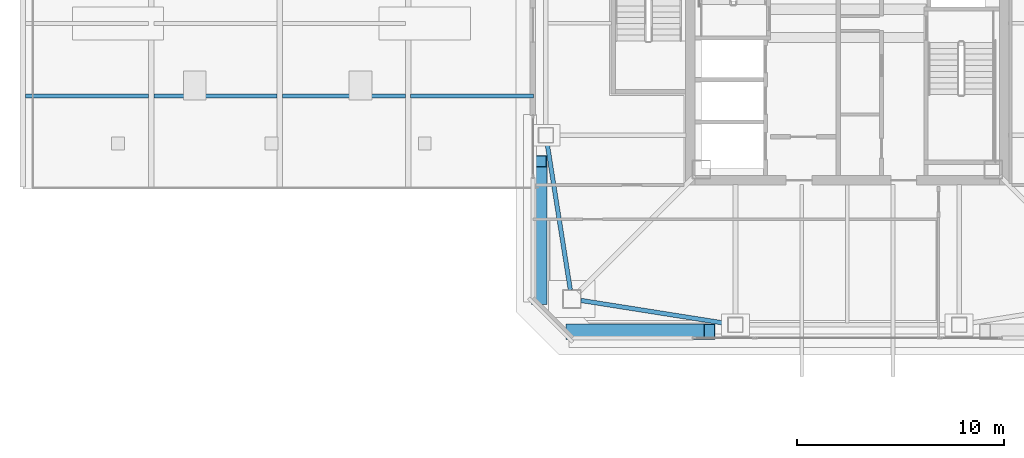
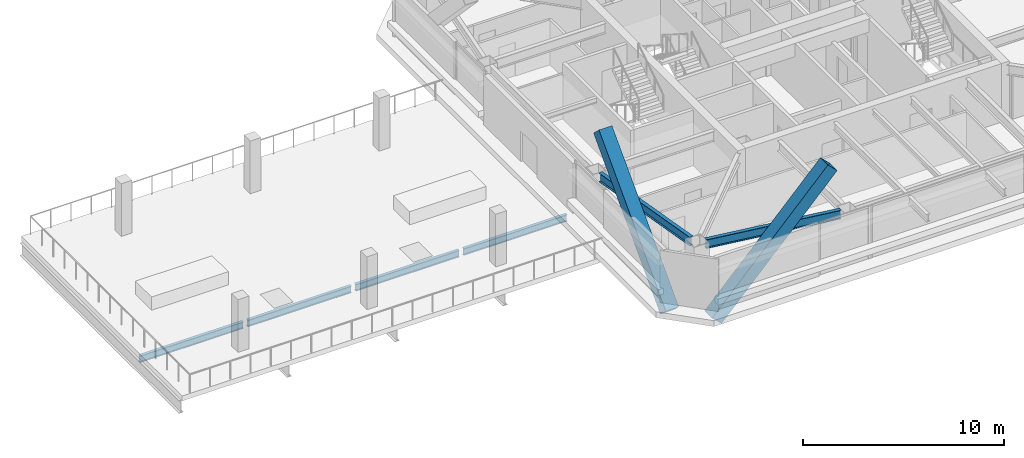
# One storey, part 3 of 37: 6 beams, 2 members.
"""IFC4 building model written with IfcOpenShell, lengths in metres."""

import ifcopenshell
import ifcopenshell.guid

model = None  # the IFC model being written
_history = None  # IfcOwnerHistory: only IFC2X3 demands one
_inside = {}  # id of a spatial element -> (the spatial element, [elements in it])
_under = {}  # id of a project, library or spatial element -> (it, [spatial elements below it])
_declared = {}  # id of a project -> (the project, [libraries it declares])
_typed = {}  # id of a type object -> (the type object, [elements of that type])
_made_of = {}  # id of a material, layer set ... -> (it, [elements and type objects made of it])


def new_model(schema):
    """Start an empty IFC model of exactly this schema.

    Asked for "IFC4X3", IfcOpenShell would pick the latest addendum, in which some entities
    have other attributes; the version numbers below select the first issue.
    IFC2X3 requires an IfcOwnerHistory on every rooted entity: one is made here for all.
    """
    global model, _history
    if schema == "IFC4X3":
        model = ifcopenshell.file(schema_version=(4, 3, 0, 0))
    else:
        model = ifcopenshell.file(schema=schema)
    _inside.clear()
    _under.clear()
    _declared.clear()
    _typed.clear()
    _made_of.clear()
    _history = None
    if model.schema == "IFC2X3":
        org = make("IfcOrganization", Name="unknown")
        user = make(
            "IfcPersonAndOrganization",
            ThePerson=make("IfcPerson", FamilyName="unknown"),
            TheOrganization=org,
        )
        app = make(
            "IfcApplication",
            ApplicationDeveloper=org,
            Version="unknown",
            ApplicationFullName="unknown",
            ApplicationIdentifier="unknown",
        )
        _history = make(
            "IfcOwnerHistory",
            OwningUser=user,
            OwningApplication=app,
            ChangeAction="ADDED",
            CreationDate=0,
        )
    return model


def make(cls, **values):
    """One entity of the class cls with the attributes given. An attribute that is None is left unset."""
    return model.create_entity(
        cls, **{name: value for name, value in values.items() if value is not None}
    )


def rooted(cls, **values):
    """An entity with a GlobalId (a new one), such as an element, a storey or a relation."""
    return make(cls, GlobalId=ifcopenshell.guid.new(), OwnerHistory=_history, **values)


def si_unit(unit_type, name, prefix=None):
    """IfcSIUnit, for example si_unit("LENGTHUNIT", "METRE", prefix="MILLI")."""
    return make("IfcSIUnit", UnitType=unit_type, Prefix=prefix, Name=name)


def assignment(units):
    """IfcUnitAssignment: the units of a project."""
    return None if units is None else make("IfcUnitAssignment", Units=units)


def point(xyz):
    """IfcCartesianPoint."""
    return None if xyz is None else make("IfcCartesianPoint", Coordinates=xyz)


def direction(xyz):
    """IfcDirection."""
    return None if xyz is None else make("IfcDirection", DirectionRatios=xyz)


def frame(location, z_axis=None, x_axis=None):
    """IfcAxis2Placement3D, a coordinate frame: its origin and axes. An axis left out is left unset."""
    return make(
        "IfcAxis2Placement3D",
        Location=point(location),
        Axis=direction(z_axis),
        RefDirection=direction(x_axis),
    )


def frame_2d(location, x_axis=None):
    """IfcAxis2Placement2D, a coordinate frame in the plane: its origin and x axis."""
    return make(
        "IfcAxis2Placement2D", Location=point(location), RefDirection=direction(x_axis)
    )


def origin():
    """The frame at (0, 0, 0) with its axes left unset."""
    return frame((0.0, 0.0, 0.0))


def origin_2d():
    """The frame at (0, 0) in the plane with its x axis left unset."""
    return frame_2d((0.0, 0.0))


def place(relative_to, where):
    """IfcLocalPlacement: puts the frame where relative to a parent placement (None: the world)."""
    return make(
        "IfcLocalPlacement", PlacementRelTo=relative_to, RelativePlacement=where
    )


def context(
    kind, dimensions, precision=None, world=None, true_north=None, identifier=None
):
    """IfcGeometricRepresentationContext, for example the 3D "Model" context."""
    return make(
        "IfcGeometricRepresentationContext",
        ContextIdentifier=identifier,
        ContextType=kind,
        CoordinateSpaceDimension=dimensions,
        Precision=precision,
        WorldCoordinateSystem=world,
        TrueNorth=true_north,
    )


def subcontext(parent, identifier, kind, view, scale=None):
    """IfcGeometricRepresentationSubContext, for example "Body" below "Model"."""
    return make(
        "IfcGeometricRepresentationSubContext",
        ContextIdentifier=identifier,
        ContextType=kind,
        ParentContext=parent,
        TargetScale=scale,
        TargetView=view,
    )


def project(units=None, contexts=None):
    """IfcProject with its units and contexts."""
    return rooted(
        "IfcProject",
        Name="project",
        RepresentationContexts=contexts,
        UnitsInContext=assignment(units),
    )


def spatial(cls, under=None, at=None, **own):
    """A site, building, storey or space (cls), placed at a placement, below another one or the project."""
    s = rooted(cls, ObjectPlacement=at, **own)
    if under is not None:
        _under.setdefault(under.id(), (under, []))[1].append(s)
    return s


def profile(cls, at=None, kind="AREA", **sizes):
    """A parametric profile (cls). Its sizes go by their IFC names, for example OverallWidth=200.0."""
    return make(cls, ProfileType=kind, Position=at, **sizes)


def hollow_rectangle(**sizes):
    """IfcRectangleHollowProfileDef."""
    return profile("IfcRectangleHollowProfileDef", **sizes)


def i_section(**sizes):
    """IfcIShapeProfileDef."""
    return profile("IfcIShapeProfileDef", **sizes)


def extrude(swept, where, along, depth):
    """IfcExtrudedAreaSolid: the profile swept, set in the frame where, extruded along a direction by depth."""
    return make(
        "IfcExtrudedAreaSolid",
        SweptArea=swept,
        Position=where,
        ExtrudedDirection=direction(along),
        Depth=depth,
    )


def shape(context_of_items, identifier, shape_type, items):
    """IfcShapeRepresentation: the items that make up one representation, for example the "Body"."""
    return make(
        "IfcShapeRepresentation",
        ContextOfItems=context_of_items,
        RepresentationIdentifier=identifier,
        RepresentationType=shape_type,
        Items=items,
    )


def material(Name=None, Category=None):
    """IfcMaterial."""
    return make("IfcMaterial", Name=Name, Category=Category)


def material_profile(
    of_material, cross_section, Name=None, Category=None, Priority=None
):
    """IfcMaterialProfile: a cross section and its material."""
    return make(
        "IfcMaterialProfile",
        Name=Name,
        Material=of_material,
        Profile=cross_section,
        Priority=Priority,
        Category=Category,
    )


def profile_set(profiles, Name=None, composite=None):
    """IfcMaterialProfileSet."""
    return make(
        "IfcMaterialProfileSet",
        Name=Name,
        MaterialProfiles=profiles,
        CompositeProfile=composite,
    )


def made_of(thing, what):
    """Note that an element or type object is made of a material, layer set ...; save() writes the relation."""
    if what is not None:
        _made_of.setdefault(what.id(), (what, []))[1].append(thing)
    return thing


def type_object(cls, material=None, **own):
    """A type object (cls), such as IfcWallType, which elements share."""
    return made_of(rooted(cls, **own), material)


def element(
    cls,
    number,
    at=None,
    inside=None,
    cuts=None,
    type_object=None,
    material=None,
    context=None,
    identifier="Body",
    shape_type=None,
    held_by="IfcProductDefinitionShape",
    body=None,
    shapes=None,
    **own,
):
    """One element of the class cls, such as IfcWall. Its Tag is "e" and its number.

    at: its placement. inside: the storey or other place that contains it. cuts: it is an
    opening in that element (IfcRelVoidsElement). A single representation is given by context,
    identifier, shape_type and body (its items); several are given by shapes. held_by: the class
    of the entity that holds the representations. save() writes the other relations.
    """
    e = rooted(cls, Tag="e%d" % number, ObjectPlacement=at, **own)
    if body is not None:
        shapes = [shape(context, identifier, shape_type, body)]
    if shapes is not None:
        e.Representation = make(held_by, Representations=shapes)
    if inside is not None:
        _inside.setdefault(inside.id(), (inside, []))[1].append(e)
    if cuts is not None:
        rooted(
            "IfcRelVoidsElement", RelatingBuildingElement=cuts, RelatedOpeningElement=e
        )
    if type_object is not None:
        _typed.setdefault(type_object.id(), (type_object, []))[1].append(e)
    return made_of(e, material)


def aggregate(whole, parts):
    """IfcRelAggregates: a whole, such as a stair, and the parts it consists of."""
    return rooted("IfcRelAggregates", RelatingObject=whole, RelatedObjects=parts)


def save(model, path):
    """Write the relations noted so far, then the file.

    IfcRelAggregates (storeys below a building ...), IfcRelContainedInSpatialStructure (elements
    in a storey), IfcRelDefinesByType, IfcRelAssociatesMaterial and IfcRelDeclares: one each for
    every whole, place, type object, material and project.
    """
    for whole, parts in _under.values():
        aggregate(whole, parts)
    for where, things in _inside.values():
        rooted(
            "IfcRelContainedInSpatialStructure",
            RelatedElements=things,
            RelatingStructure=where,
        )
    for kind, things in _typed.values():
        rooted("IfcRelDefinesByType", RelatedObjects=things, RelatingType=kind)
    for what, things in _made_of.values():
        rooted("IfcRelAssociatesMaterial", RelatedObjects=things, RelatingMaterial=what)
    for by, libraries in _declared.values():
        rooted("IfcRelDeclares", RelatingContext=by, RelatedDefinitions=libraries)
    model.write(path)


model = new_model("IFC4")

# Units and contexts
model_context = context("Model", 3, precision=1e-05, world=origin(), true_north=direction((0.0, 1.0)))
body_context = subcontext(model_context, "Body", "Model", "MODEL_VIEW")
ifc_project = project(units=[si_unit("LENGTHUNIT", "METRE"), si_unit("AREAUNIT", "SQUARE_METRE"), si_unit("VOLUMEUNIT", "CUBIC_METRE"), si_unit("PLANEANGLEUNIT", "RADIAN"), si_unit("MASSUNIT", "GRAM", prefix="KILO")], contexts=[model_context])

# Site, building, storey
site_placement = place(None, origin())
site = spatial("IfcSite", under=ifc_project, at=site_placement, CompositionType="ELEMENT")
building_placement = place(site_placement, origin())
building = spatial("IfcBuilding", under=site, at=building_placement, Name="Tashvorn Skyway Center", CompositionType="ELEMENT")
storey_placement = place(building_placement, frame((0.0, 0.0, 263.39990234375)))
storey = spatial("IfcBuildingStorey", under=building, at=storey_placement, Name="L71", CompositionType="ELEMENT", Elevation=263.39990234375)

# Beams
ifc_material_1 = material(Name="Steel ASTM A992 Grade 50", Category="steel")
ifc_material_profile_1 = material_profile(ifc_material_1, i_section(OverallWidth=0.177978515625, OverallDepth=0.406005859375, WebThickness=0.0078125, FlangeThickness=0.0126953125, at=origin_2d()), Name="W16X40")
ifc_profile_set_1 = profile_set([ifc_material_profile_1], Name="Steel ASTM A992 Grade 50")
beam_type_1 = type_object("IfcBeamType", Name="BM-JOIST-W16X40", PredefinedType="JOIST", material=ifc_profile_set_1)
beam_1_placement = place(storey_placement, frame((2.325439453125, 28.5, -0.5029296875), z_axis=(1.0, 0.0, 0.0), x_axis=(0.0, 1.0, 0.0)))
element("IfcBeam", 1, at=beam_1_placement, inside=storey, type_object=beam_type_1, Name="Sky-Park L71 Longitudinal Joist 01-1", PredefinedType="JOIST", context=body_context, shape_type="SweptSolid", body=[
    extrude(i_section(OverallWidth=0.177978515625, OverallDepth=0.406005859375, WebThickness=0.0078125, FlangeThickness=0.0126953125, at=origin_2d()), origin(), (0.0, 0.0, 1.0), 5.948974609375),
])
beam_2_placement = place(storey_placement, frame((8.525390625, 28.5, -0.5029296875), z_axis=(1.0, 0.0, 0.0), x_axis=(0.0, 1.0, 0.0)))
element("IfcBeam", 2, at=beam_2_placement, inside=storey, type_object=beam_type_1, Name="Sky-Park L71 Longitudinal Joist 02-1", PredefinedType="JOIST", context=body_context, shape_type="SweptSolid", body=[
    extrude(i_section(OverallWidth=0.177978515625, OverallDepth=0.406005859375, WebThickness=0.0078125, FlangeThickness=0.0126953125, at=origin_2d()), origin(), (0.0, 0.0, 1.0), 5.94921875),
])
beam_3_placement = place(storey_placement, frame((14.7255859375, 28.5, -0.5029296875), z_axis=(1.0, 0.0, 0.0), x_axis=(0.0, 1.0, 0.0)))
element("IfcBeam", 3, at=beam_3_placement, inside=storey, type_object=beam_type_1, Name="Sky-Park L71 Longitudinal Joist 03-1", PredefinedType="JOIST", context=body_context, shape_type="SweptSolid", body=[
    extrude(i_section(OverallWidth=0.177978515625, OverallDepth=0.406005859375, WebThickness=0.0078125, FlangeThickness=0.0126953125, at=origin_2d()), origin(), (0.0, 0.0, 1.0), 5.948974609375),
])
beam_4_placement = place(storey_placement, frame((20.925537109375, 28.5, -0.5029296875), z_axis=(1.0, 0.0, 0.0), x_axis=(0.0, 1.0, 0.0)))
element("IfcBeam", 4, at=beam_4_placement, inside=storey, type_object=beam_type_1, Name="Sky-Park L71 Longitudinal Joist 04-1", PredefinedType="JOIST", context=body_context, shape_type="SweptSolid", body=[
    extrude(i_section(OverallWidth=0.177978515625, OverallDepth=0.406005859375, WebThickness=0.0078125, FlangeThickness=0.0126953125, at=origin_2d()), origin(), (0.0, 0.0, 1.0), 5.925048828125),
])
ifc_material_profile_2 = material_profile(ifc_material_1, i_section(OverallWidth=0.2109375, OverallDepth=0.5390625, WebThickness=0.01171875, FlangeThickness=0.018798828125, at=origin_2d()), Name="W21X73")
ifc_profile_set_2 = profile_set([ifc_material_profile_2], Name="Steel ASTM A992 Grade 50")
beam_type_2 = type_object("IfcBeamType", Name="BM-SPANDREL-W21X73", PredefinedType="SPANDREL", material=ifc_profile_set_2)
for number, where, z_axis, x_axis, name in (
    (5, (29.1396484375, 18.63037109375, 3.1005859375), (0.987713587978, -0.156274976, 0.0), (0.156274976, 0.987713587978, 0.0), "Tower 1 L71 Spandrel Beam 01"),
    (6, (27.5078125, 26.234619140625, 3.1005859375), (0.156274976, -0.987713587978, 0.0), (0.987713587978, 0.156274976, 0.0), "Tower 1 L71 Spandrel Beam 12"),
):
    element("IfcBeam", number, at=place(storey_placement, frame(where, z_axis=z_axis, x_axis=x_axis)), inside=storey, type_object=beam_type_2, Name=name, PredefinedType="SPANDREL", context=body_context, shape_type="SweptSolid", body=[
        extrude(i_section(OverallWidth=0.2109375, OverallDepth=0.5390625, WebThickness=0.01171875, FlangeThickness=0.018798828125, at=origin_2d()), origin(), (0.0, 0.0, 1.0), 7.18310546875),
    ])

# Members
ifc_material_2 = material(Name="Steel ASTM A572 Grade 50", Category="steel")
ifc_material_profile_3 = material_profile(ifc_material_2, hollow_rectangle(XDim=0.75, YDim=0.75, WallThickness=0.031982421875, at=origin_2d()), Name="BOX750x750x32")
ifc_profile_set_3 = profile_set([ifc_material_profile_3], Name="Steel ASTM A572 Grade 50")
member_type = type_object("IfcMemberType", Name="MEM-MB-750", PredefinedType="BRACE", material=ifc_profile_set_3)
for number, where, z_axis, x_axis, name in (
    (7, (28.699951171875, 17.1201171875, -0.31982421875), (0.690312384492, 0.0, 0.723511445533), (0.0, 1.0, 0.0), "Tower 1 Zone 7 S Chevron Mega-Brace L1"),
    (8, (27.1201171875, 18.699951171875, -0.31982421875), (0.0, 0.690312384492, 0.723511445533), (-1.0, 0.0, 0.0), "Tower 1 Zone 7 W Chevron Mega-Brace R1"),
):
    element("IfcMember", number, at=place(storey_placement, frame(where, z_axis=z_axis, x_axis=x_axis)), inside=storey, type_object=member_type, Name=name, PredefinedType="BRACE", context=body_context, shape_type="SweptSolid", body=[
        extrude(hollow_rectangle(XDim=0.75, YDim=0.75, WallThickness=0.031982421875, at=origin_2d()), origin(), (0.0, 0.0, 1.0), 9.633544921875),
    ])

save(model, "model.ifc")
